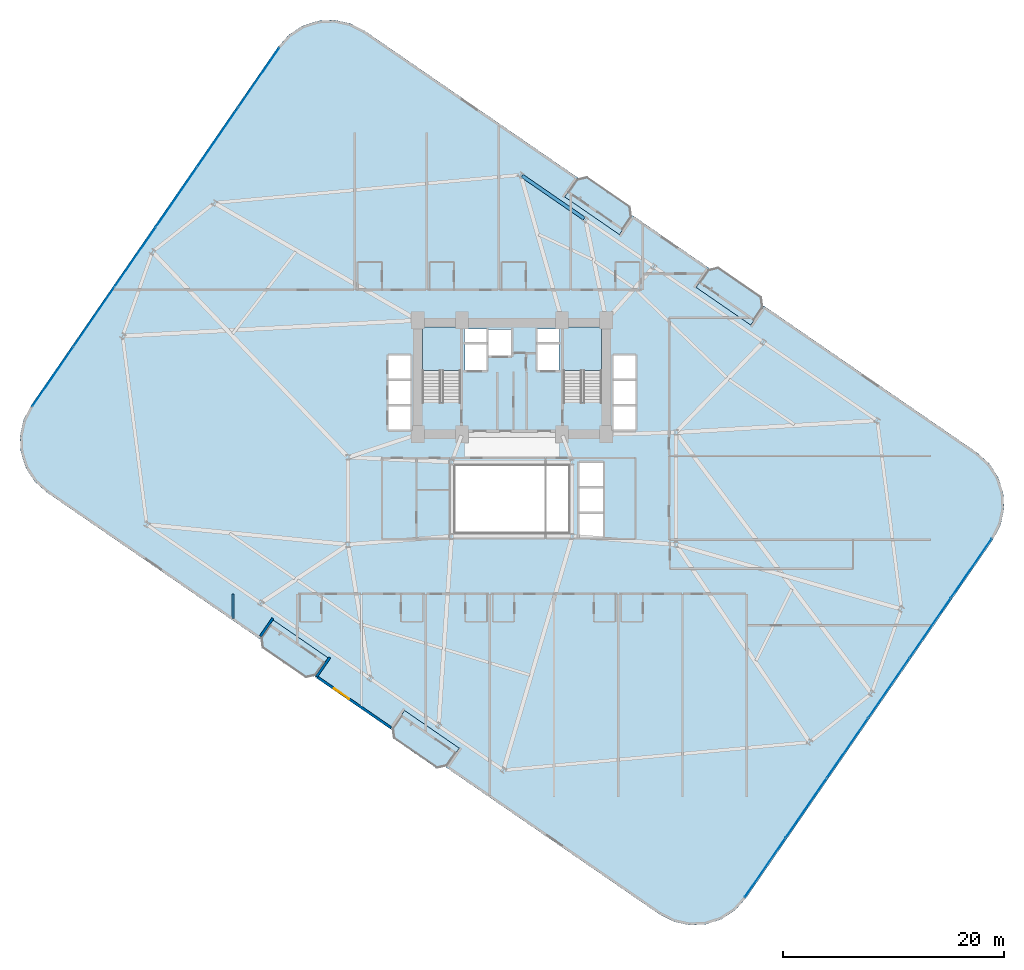
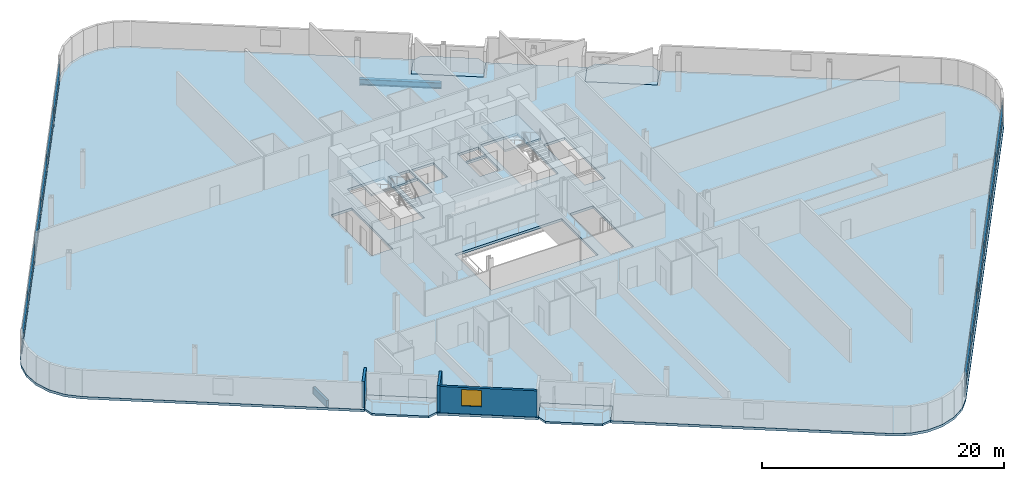
# One storey, part 16 of 24: 24 plates, 7 slabs, 4 walls, 1 beam, 1 window, 1 opening, 4 elements without a shape of their own.
"""IFC4 building model written with IfcOpenShell, lengths in metres."""

from ifc_helpers import new_model, si_unit, direction, frame, frame_2d, origin, origin_2d, place, context, subcontext, project, spatial, polyline, rectangle, i_section, outline, extrude, source, transform, mapped, material, layer, layer_set, material_profile, profile_set, type_object, element, fill, aggregate, save


model = new_model("IFC4")

# Units and contexts
model_context = context("Model", 3, precision=1e-05, world=origin(), true_north=direction((0.0, 1.0)))
body_context = subcontext(model_context, "Body", "Model", "MODEL_VIEW")
ifc_project = project(units=[si_unit("LENGTHUNIT", "METRE"), si_unit("AREAUNIT", "SQUARE_METRE"), si_unit("VOLUMEUNIT", "CUBIC_METRE"), si_unit("PLANEANGLEUNIT", "RADIAN"), si_unit("MASSUNIT", "GRAM", prefix="KILO")], contexts=[model_context])

# Site, building, storey
site_placement = place(None, origin())
site = spatial("IfcSite", under=ifc_project, at=site_placement, CompositionType="ELEMENT")
building_placement = place(site_placement, origin())
building = spatial("IfcBuilding", under=site, at=building_placement, Name="Varnelok Gate Tower", CompositionType="ELEMENT")
storey_placement = place(building_placement, frame((0.0, 0.0, 67.699951171875)))
storey = spatial("IfcBuildingStorey", under=building, at=storey_placement, Name="L16", CompositionType="ELEMENT", Elevation=67.699951171875)

# Beam
ifc_material_1 = material(Name="Structural Steel ASTM A992 Grade 50", Category="steel")
ifc_material_profile = material_profile(ifc_material_1, i_section(OverallWidth=0.323974609375, OverallDepth=0.611083984375, WebThickness=0.0126953125, FlangeThickness=0.01904296875, FilletRadius=0.01806640625, at=origin_2d()), Name="W24X104")
ifc_profile_set = profile_set([ifc_material_profile], Name="Structural Steel ASTM A992 Grade 50")
beam_type = type_object("IfcBeamType", Name="BM-SPN-W24X104", PredefinedType="SPANDREL", material=ifc_profile_set)
beam_placement = place(storey_placement, frame((45.708984375, 48.235107421875, -0.555419921875), z_axis=(-0.823553445566, 0.567238681947, 0.0), x_axis=(-0.567238681947, -0.823553445566, 0.0)))
element("IfcBeam", 1, at=beam_placement, inside=storey, type_object=beam_type, Name="L16 Perimeter Spandrel Beam 12", PredefinedType="SPANDREL", context=body_context, shape_type="SweptSolid", body=[
    extrude(i_section(OverallWidth=0.323974609375, OverallDepth=0.611083984375, WebThickness=0.0126953125, FlangeThickness=0.01904296875, FilletRadius=0.01806640625, at=origin_2d()), origin(), (0.0, 0.0, 1.0), 6.7998046875),
])

# Slabs
ifc_material_2 = material(Name="Concrete C45/55", Category="concrete")
ifc_layer_1 = layer(ifc_material_2, 0.199951171875)
ifc_layer_set_1 = layer_set([ifc_layer_1], Name="Concrete C45/55")
slab_type_1 = type_object("IfcSlabType", Name="SLB-BALC-200", PredefinedType="FLOOR", material=ifc_layer_set_1)
slab_1_placement = place(storey_placement, frame((0.0, 0.0, -0.199951171875)))
element("IfcSlab", 2, at=slab_1_placement, inside=storey, type_object=slab_type_1, Name="L16 South Hollow Balcony 1", PredefinedType="FLOOR", context=body_context, shape_type="SweptSolid", body=[
    extrude(outline(polyline([(16.5048828125, 10.3330078125), (16.67138671875, 9.42919921875), (20.5419921875, 6.762939453125), (21.446044921875, 6.929443359375), (22.58056640625, 8.57666015625), (17.639404296875, 11.980224609375), (16.5048828125, 10.3330078125)])), origin(), (0.0, 0.0, 1.0), 0.199951171875),
])
slab_2_placement = place(storey_placement, frame((0.0, 0.0, -0.199951171875)))
element("IfcSlab", 3, at=slab_2_placement, inside=storey, type_object=slab_type_1, Name="L16 South Hollow Balcony 2", PredefinedType="FLOOR", context=body_context, shape_type="SweptSolid", body=[
    extrude(outline(polyline([(28.36376953125, 2.164306640625), (28.5302734375, 1.260498046875), (32.40087890625, -1.40576171875), (33.304931640625, -1.2392578125), (34.439453125, 0.407958984375), (29.498291015625, 3.8115234375), (28.36376953125, 2.164306640625)])), origin(), (0.0, 0.0, 1.0), 0.199951171875),
])
slab_3_placement = place(storey_placement, frame((0.0, 0.0, -0.199951171875)))
element("IfcSlab", 4, at=slab_3_placement, inside=storey, type_object=slab_type_1, Name="L16 North Hollow Balcony 1", PredefinedType="FLOOR", context=body_context, shape_type="SweptSolid", body=[
    extrude(outline(polyline([(43.960693359375, 50.192138671875), (48.90185546875, 46.78857421875), (50.036376953125, 48.435546875), (49.869873046875, 49.339599609375), (45.999267578125, 52.005615234375), (45.09521484375, 51.839111328125), (43.960693359375, 50.192138671875)])), origin(), (0.0, 0.0, 1.0), 0.199951171875),
])
slab_4_placement = place(storey_placement, frame((0.0, 0.0, -0.199951171875)))
element("IfcSlab", 5, at=slab_4_placement, inside=storey, type_object=slab_type_1, Name="L16 North Hollow Balcony 2", PredefinedType="FLOOR", context=body_context, shape_type="SweptSolid", body=[
    extrude(outline(polyline([(55.819580078125, 42.0234375), (60.7607421875, 38.619873046875), (61.895263671875, 40.266845703125), (61.728515625, 41.1708984375), (57.85791015625, 43.837158203125), (56.9541015625, 43.67041015625), (55.819580078125, 42.0234375)])), origin(), (0.0, 0.0, 1.0), 0.199951171875),
])

# Stair, slab
ifc_material_3 = material(Name="Concrete C50/60", Category="concrete")
stair_type = type_object("IfcStairType", Name="STR-CORE-1650", PredefinedType="HALF_TURN_STAIR", material=ifc_material_3)
stair_1_placement = place(storey_placement, origin())
stair_1 = element("IfcStair", 6, at=stair_1_placement, inside=storey, type_object=stair_type, Name="L16 Exit Stair ST-1", PredefinedType="HALF_TURN_STAIR")
ifc_layer_2 = layer(ifc_material_2, 0.199951171875)
ifc_layer_set_2 = layer_set([ifc_layer_2], Name="Concrete C45/55")
slab_type_2 = type_object("IfcSlabType", Name="SLB-LAND-200", PredefinedType="LANDING", material=ifc_layer_set_2)
slab_5_placement = place(storey_placement, frame((0.0, 0.0, 1.650146484375)))
slab_5 = element("IfcSlab", 7, at=slab_5_placement, type_object=slab_type_2, Name="ST-1 landing 1", PredefinedType="LANDING", context=body_context, shape_type="SweptSolid", body=[
    extrude(outline(polyline([(34.550048828125, 34.5), (34.550048828125, 38.449951171875), (31.10009765625, 38.449951171875), (31.10009765625, 34.5), (34.550048828125, 34.5)])), origin(), (0.0, 0.0, 1.0), 0.199951171875),
])
aggregate(stair_1, [slab_5])

stair_2_placement = place(storey_placement, origin())
stair_2 = element("IfcStair", 8, at=stair_2_placement, inside=storey, type_object=stair_type, Name="L16 Exit Stair ST-2", PredefinedType="HALF_TURN_STAIR")
slab_6_placement = place(storey_placement, frame((0.0, 0.0, 1.650146484375)))
slab_6 = element("IfcSlab", 9, at=slab_6_placement, type_object=slab_type_2, Name="ST-2 landing 1", PredefinedType="LANDING", context=body_context, shape_type="SweptSolid", body=[
    extrude(outline(polyline([(47.300048828125, 34.5), (47.300048828125, 38.449951171875), (43.85009765625, 38.449951171875), (43.85009765625, 34.5), (47.300048828125, 34.5)])), origin(), (0.0, 0.0, 1.0), 0.199951171875),
])
aggregate(stair_2, [slab_6])

# Slab
ifc_layer_3 = layer(ifc_material_3, 0.25)
ifc_layer_set_3 = layer_set([ifc_layer_3], Name="Concrete C50/60")
slab_type_3 = type_object("IfcSlabType", Name="SLB-TYP-250", PredefinedType="FLOOR", material=ifc_layer_set_3)
slab_7_placement = place(storey_placement, frame((0.0, 0.0, -0.25)))
element("IfcSlab", 10, at=slab_7_placement, inside=storey, type_object=slab_type_3, Name="L16 Structural Floor Slab", PredefinedType="FLOOR", context=body_context, shape_type="SweptSolid", body=[
    extrude(outline(polyline([(-4.2578125, 31.3134765625), (-4.922607421875, 30.011474609375), (-5.22802734375, 28.581787109375), (-5.1533203125, 27.121826171875), (-4.702880859375, 25.731201171875), (-3.907958984375, 24.504150390625), (-2.822509765625, 23.52490234375), (7.7734375, 16.22607421875), (16.447998046875, 10.250732421875), (17.639404296875, 11.980224609375), (22.58056640625, 8.57666015625), (21.389404296875, 6.84716796875), (28.306884765625, 2.08203125), (29.498291015625, 3.8115234375), (34.439453125, 0.407958984375), (33.248046875, -1.321533203125), (41.922607421875, -7.296875), (52.518798828125, -14.595703125), (53.82080078125, -15.2607421875), (55.250244140625, -15.566162109375), (56.710205078125, -15.4912109375), (58.10107421875, -15.040771484375), (59.327880859375, -14.245849609375), (60.307373046875, -13.160400390625), (82.65771484375, 19.28662109375), (83.32275390625, 20.58837890625), (83.628173828125, 22.018310546875), (83.55322265625, 23.47802734375), (83.102783203125, 24.868896484375), (82.30810546875, 26.095703125), (81.22265625, 27.0751953125), (70.62646484375, 34.3740234375), (61.951904296875, 40.34912109375), (60.7607421875, 38.619873046875), (55.819580078125, 42.0234375), (57.0107421875, 43.752685546875), (50.093017578125, 48.517822265625), (48.90185546875, 46.78857421875), (43.960693359375, 50.192138671875), (45.15185546875, 51.92138671875), (36.477294921875, 57.896728515625), (25.881103515625, 65.195556640625), (24.579345703125, 65.860595703125), (23.149658203125, 66.166015625), (21.689697265625, 66.091064453125), (20.299072265625, 65.640869140625), (19.072021484375, 64.845947265625), (18.0927734375, 63.760498046875), (-4.2578125, 31.3134765625)]), holes=[polyline([(34.550048828125, 31.679931640625), (34.550048828125, 38.449951171875), (31.10009765625, 38.449951171875), (31.10009765625, 31.679931640625), (34.550048828125, 31.679931640625)]), polyline([(47.300048828125, 31.679931640625), (47.300048828125, 38.449951171875), (43.85009765625, 38.449951171875), (43.85009765625, 31.679931640625), (47.300048828125, 31.679931640625)]), polyline([(34.949951171875, 34.550048828125), (36.89990234375, 34.550048828125), (36.89990234375, 36.89990234375), (34.949951171875, 36.89990234375), (34.949951171875, 34.550048828125)]), polyline([(41.5, 34.550048828125), (43.449951171875, 34.550048828125), (43.449951171875, 36.89990234375), (41.5, 36.89990234375), (41.5, 34.550048828125)]), polyline([(37.050048828125, 35.85009765625), (39.14990234375, 35.85009765625), (39.14990234375, 38.199951171875), (37.050048828125, 38.199951171875), (37.050048828125, 35.85009765625)]), polyline([(28.050048828125, 29.14990234375), (30.050048828125, 29.14990234375), (30.050048828125, 35.89990234375), (28.050048828125, 35.89990234375), (28.050048828125, 29.14990234375)]), polyline([(48.35009765625, 29.14990234375), (50.35009765625, 29.14990234375), (50.35009765625, 35.89990234375), (48.35009765625, 35.89990234375), (48.35009765625, 29.14990234375)]), polyline([(45.25, 19.449951171875), (47.449951171875, 19.449951171875), (47.449951171875, 26.199951171875), (45.25, 26.199951171875), (45.25, 19.449951171875)]), polyline([(34.919921875, 37.080078125), (36.89990234375, 37.080078125), (36.89990234375, 38.280029296875), (34.919921875, 38.280029296875), (34.919921875, 37.080078125)]), polyline([(41.5, 37.080078125), (43.47998046875, 37.080078125), (43.47998046875, 38.280029296875), (41.5, 38.280029296875), (41.5, 37.080078125)]), polyline([(34.10009765625, 19.89990234375), (44.300048828125, 19.89990234375), (44.300048828125, 25.89990234375), (34.10009765625, 25.89990234375), (34.10009765625, 19.89990234375)])]), origin(), (0.0, 0.0, 1.0), 0.25),
])

# Curtain wall, plates
ifc_material_4 = material(Name="Anodized Aluminum Alloy 6063-T6", Category="aluminium")
ifc_layer_4 = layer(ifc_material_4, 0.179931640625)
ifc_layer_set_4 = layer_set([ifc_layer_4], Name="Anodized Aluminum Alloy 6063-T6")
curtain_wall_type = type_object("IfcCurtainWallType", Name="CW3-HOTEL-VISION", PredefinedType="USERDEFINED", material=ifc_layer_set_4)
curtain_wall_1_placement = place(storey_placement, origin())
curtain_wall_1 = element("IfcCurtainWall", 11, at=curtain_wall_1_placement, inside=storey, type_object=curtain_wall_type, Name="L16 West End Vision Curtain Wall", ObjectType="UNITISED CURTAIN WALL", PredefinedType="USERDEFINED")
ifc_material_5 = material(Name="Low-E Laminated Double Glazing IGU", Category="glass")
ifc_layer_5 = layer(ifc_material_5, 0.031982421875)
ifc_layer_set_5 = layer_set([ifc_layer_5], Name="Low-E Laminated Double Glazing IGU")
plate_type = type_object("IfcPlateType", Name="CW-PNL-IGU32", PredefinedType="CURTAIN_PANEL", material=ifc_layer_set_5)
shared_shape_1 = source(origin(), body_context, "Body", "SweptSolid", [
    extrude(rectangle(XDim=6.46923828125, YDim=0.031982421875, at=origin_2d()), origin(), (0.0, 0.0, 1.0), 0.802490234375),
])
plate_1_placement = place(storey_placement, frame((-2.270751953125, 33.951171875, 0.06494140625), z_axis=(0.0, 0.0, 1.0), x_axis=(0.567268822124, 0.823532685111, 0.0)))
plate_1 = element("IfcPlate", 12, at=plate_1_placement, type_object=plate_type, Name="CW3 panel 1.1", PredefinedType="CURTAIN_PANEL", context=body_context, shape_type="MappedRepresentation", body=[
    mapped(shared_shape_1, transform((0.0, 0.0, 0.0), scale=1.0)),
])
plate_2_placement = place(storey_placement, frame((16.336181640625, 60.9638671875, 0.06494140625), z_axis=(0.0, 0.0, 1.0), x_axis=(0.567268822124, 0.823532685111, 0.0)))
plate_2 = element("IfcPlate", 13, at=plate_2_placement, type_object=plate_type, Name="CW3 panel 6.1", PredefinedType="CURTAIN_PANEL", context=body_context, shape_type="MappedRepresentation", body=[
    mapped(shared_shape_1, transform((0.0, 0.0, 0.0), scale=1.0)),
])

curtain_wall_2_placement = place(storey_placement, origin())
curtain_wall_2 = element("IfcCurtainWall", 14, at=curtain_wall_2_placement, inside=storey, type_object=curtain_wall_type, Name="L16 East End Vision Curtain Wall", ObjectType="UNITISED CURTAIN WALL", PredefinedType="USERDEFINED")
plate_3_placement = place(storey_placement, frame((80.670654296875, 16.648681640625, 0.06494140625), z_axis=(0.0, 0.0, 1.0), x_axis=(-0.567268822124, -0.823532685111, 0.0)))
plate_3 = element("IfcPlate", 15, at=plate_3_placement, type_object=plate_type, Name="CW3 panel 1.1", PredefinedType="CURTAIN_PANEL", context=body_context, shape_type="MappedRepresentation", body=[
    mapped(shared_shape_1, transform((0.0, 0.0, 0.0), scale=1.0)),
])
plate_4_placement = place(storey_placement, frame((62.063720703125, -10.36376953125, 0.06494140625), z_axis=(0.0, 0.0, 1.0), x_axis=(-0.567268822124, -0.823532685111, 0.0)))
plate_4 = element("IfcPlate", 16, at=plate_4_placement, type_object=plate_type, Name="CW3 panel 6.1", PredefinedType="CURTAIN_PANEL", context=body_context, shape_type="MappedRepresentation", body=[
    mapped(shared_shape_1, transform((0.0, 0.0, 0.0), scale=1.0)),
])

# Plate
shared_shape_2 = source(origin(), body_context, "Body", "SweptSolid", [
    extrude(rectangle(XDim=6.501708984375, YDim=0.031982421875, at=origin_2d()), origin(), (0.0, 0.0, 1.0), 0.802490234375),
])
plate_5_placement = place(storey_placement, frame((1.4453125, 39.345703125, 0.06494140625), z_axis=(0.0, 0.0, 1.0), x_axis=(0.567268822124, 0.823532685111, 0.0)))
plate_5 = element("IfcPlate", 17, at=plate_5_placement, type_object=plate_type, Name="CW3 panel 2.1", PredefinedType="CURTAIN_PANEL", context=body_context, shape_type="MappedRepresentation", body=[
    mapped(shared_shape_2, transform((0.0, 0.0, 0.0), scale=1.0)),
])

plate_6_placement = place(storey_placement, frame((5.170166015625, 44.753662109375, 0.06494140625), z_axis=(0.0, 0.0, 1.0), x_axis=(0.567268822124, 0.823532685111, 0.0)))
plate_6 = element("IfcPlate", 18, at=plate_6_placement, type_object=plate_type, Name="CW3 panel 3.1", PredefinedType="CURTAIN_PANEL", context=body_context, shape_type="MappedRepresentation", body=[
    mapped(shared_shape_2, transform((0.0, 0.0, 0.0), scale=1.0)),
])

plate_7_placement = place(storey_placement, frame((8.895263671875, 50.161376953125, 0.06494140625), z_axis=(0.0, 0.0, 1.0), x_axis=(0.567268822124, 0.823532685111, 0.0)))
plate_7 = element("IfcPlate", 19, at=plate_7_placement, type_object=plate_type, Name="CW3 panel 4.1", PredefinedType="CURTAIN_PANEL", context=body_context, shape_type="MappedRepresentation", body=[
    mapped(shared_shape_2, transform((0.0, 0.0, 0.0), scale=1.0)),
])

plate_8_placement = place(storey_placement, frame((12.620361328125, 55.5693359375, 0.06494140625), z_axis=(0.0, 0.0, 1.0), x_axis=(0.567268822124, 0.823532685111, 0.0)))
plate_8 = element("IfcPlate", 20, at=plate_8_placement, type_object=plate_type, Name="CW3 panel 5.1", PredefinedType="CURTAIN_PANEL", context=body_context, shape_type="MappedRepresentation", body=[
    mapped(shared_shape_2, transform((0.0, 0.0, 0.0), scale=1.0)),
])

plate_9_placement = place(storey_placement, frame((76.954833984375, 11.25439453125, 0.06494140625), z_axis=(0.0, 0.0, 1.0), x_axis=(-0.567268822124, -0.823532685111, 0.0)))
plate_9 = element("IfcPlate", 21, at=plate_9_placement, type_object=plate_type, Name="CW3 panel 2.1", PredefinedType="CURTAIN_PANEL", context=body_context, shape_type="MappedRepresentation", body=[
    mapped(shared_shape_2, transform((0.0, 0.0, 0.0), scale=1.0)),
])

plate_10_placement = place(storey_placement, frame((73.229736328125, 5.846435546875, 0.06494140625), z_axis=(0.0, 0.0, 1.0), x_axis=(-0.567268822124, -0.823532685111, 0.0)))
plate_10 = element("IfcPlate", 22, at=plate_10_placement, type_object=plate_type, Name="CW3 panel 3.1", PredefinedType="CURTAIN_PANEL", context=body_context, shape_type="MappedRepresentation", body=[
    mapped(shared_shape_2, transform((0.0, 0.0, 0.0), scale=1.0)),
])

plate_11_placement = place(storey_placement, frame((69.504638671875, 0.4384765625, 0.06494140625), z_axis=(0.0, 0.0, 1.0), x_axis=(-0.567268822124, -0.823532685111, 0.0)))
plate_11 = element("IfcPlate", 23, at=plate_11_placement, type_object=plate_type, Name="CW3 panel 4.1", PredefinedType="CURTAIN_PANEL", context=body_context, shape_type="MappedRepresentation", body=[
    mapped(shared_shape_2, transform((0.0, 0.0, 0.0), scale=1.0)),
])

plate_12_placement = place(storey_placement, frame((65.779541015625, -4.96923828125, 0.06494140625), z_axis=(0.0, 0.0, 1.0), x_axis=(-0.567268822124, -0.823532685111, 0.0)))
plate_12 = element("IfcPlate", 24, at=plate_12_placement, type_object=plate_type, Name="CW3 panel 5.1", PredefinedType="CURTAIN_PANEL", context=body_context, shape_type="MappedRepresentation", body=[
    mapped(shared_shape_2, transform((0.0, 0.0, 0.0), scale=1.0)),
])

shared_shape_3 = source(origin(), body_context, "Body", "SweptSolid", [
    extrude(rectangle(XDim=6.46923828125, YDim=0.031982421875, at=origin_2d()), origin(), (0.0, 0.0, 1.0), 1.66259765625),
])
plate_13_placement = place(storey_placement, frame((-2.270751953125, 33.951171875, 0.9326171875), z_axis=(0.0, 0.0, 1.0), x_axis=(0.567268822124, 0.823532685111, 0.0)))
plate_13 = element("IfcPlate", 25, at=plate_13_placement, type_object=plate_type, Name="CW3 panel 1.2", PredefinedType="CURTAIN_PANEL", context=body_context, shape_type="MappedRepresentation", body=[
    mapped(shared_shape_3, transform((0.0, 0.0, 0.0), scale=1.0)),
])

plate_14_placement = place(storey_placement, frame((16.336181640625, 60.9638671875, 0.9326171875), z_axis=(0.0, 0.0, 1.0), x_axis=(0.567268822124, 0.823532685111, 0.0)))
plate_14 = element("IfcPlate", 26, at=plate_14_placement, type_object=plate_type, Name="CW3 panel 6.2", PredefinedType="CURTAIN_PANEL", context=body_context, shape_type="MappedRepresentation", body=[
    mapped(shared_shape_3, transform((0.0, 0.0, 0.0), scale=1.0)),
])

plate_15_placement = place(storey_placement, frame((80.670654296875, 16.648681640625, 0.9326171875), z_axis=(0.0, 0.0, 1.0), x_axis=(-0.567268822124, -0.823532685111, 0.0)))
plate_15 = element("IfcPlate", 27, at=plate_15_placement, type_object=plate_type, Name="CW3 panel 1.2", PredefinedType="CURTAIN_PANEL", context=body_context, shape_type="MappedRepresentation", body=[
    mapped(shared_shape_3, transform((0.0, 0.0, 0.0), scale=1.0)),
])

plate_16_placement = place(storey_placement, frame((62.063720703125, -10.36376953125, 0.9326171875), z_axis=(0.0, 0.0, 1.0), x_axis=(-0.567268822124, -0.823532685111, 0.0)))
plate_16 = element("IfcPlate", 28, at=plate_16_placement, type_object=plate_type, Name="CW3 panel 6.2", PredefinedType="CURTAIN_PANEL", context=body_context, shape_type="MappedRepresentation", body=[
    mapped(shared_shape_3, transform((0.0, 0.0, 0.0), scale=1.0)),
])

shared_shape_4 = source(origin(), body_context, "Body", "SweptSolid", [
    extrude(rectangle(XDim=6.501708984375, YDim=0.031982421875, at=origin_2d()), origin(), (0.0, 0.0, 1.0), 1.66259765625),
])
plate_17_placement = place(storey_placement, frame((1.4453125, 39.345703125, 0.9326171875), z_axis=(0.0, 0.0, 1.0), x_axis=(0.567268822124, 0.823532685111, 0.0)))
plate_17 = element("IfcPlate", 29, at=plate_17_placement, type_object=plate_type, Name="CW3 panel 2.2", PredefinedType="CURTAIN_PANEL", context=body_context, shape_type="MappedRepresentation", body=[
    mapped(shared_shape_4, transform((0.0, 0.0, 0.0), scale=1.0)),
])

plate_18_placement = place(storey_placement, frame((5.170166015625, 44.753662109375, 0.9326171875), z_axis=(0.0, 0.0, 1.0), x_axis=(0.567268822124, 0.823532685111, 0.0)))
plate_18 = element("IfcPlate", 30, at=plate_18_placement, type_object=plate_type, Name="CW3 panel 3.2", PredefinedType="CURTAIN_PANEL", context=body_context, shape_type="MappedRepresentation", body=[
    mapped(shared_shape_4, transform((0.0, 0.0, 0.0), scale=1.0)),
])

plate_19_placement = place(storey_placement, frame((8.895263671875, 50.161376953125, 0.9326171875), z_axis=(0.0, 0.0, 1.0), x_axis=(0.567268822124, 0.823532685111, 0.0)))
plate_19 = element("IfcPlate", 31, at=plate_19_placement, type_object=plate_type, Name="CW3 panel 4.2", PredefinedType="CURTAIN_PANEL", context=body_context, shape_type="MappedRepresentation", body=[
    mapped(shared_shape_4, transform((0.0, 0.0, 0.0), scale=1.0)),
])

plate_20_placement = place(storey_placement, frame((12.620361328125, 55.5693359375, 0.9326171875), z_axis=(0.0, 0.0, 1.0), x_axis=(0.567268822124, 0.823532685111, 0.0)))
plate_20 = element("IfcPlate", 32, at=plate_20_placement, type_object=plate_type, Name="CW3 panel 5.2", PredefinedType="CURTAIN_PANEL", context=body_context, shape_type="MappedRepresentation", body=[
    mapped(shared_shape_4, transform((0.0, 0.0, 0.0), scale=1.0)),
])

aggregate(curtain_wall_1, [plate_1, plate_13, plate_5, plate_17, plate_6, plate_18, plate_7, plate_19, plate_8, plate_20, plate_2, plate_14])

plate_21_placement = place(storey_placement, frame((76.954833984375, 11.25439453125, 0.9326171875), z_axis=(0.0, 0.0, 1.0), x_axis=(-0.567268822124, -0.823532685111, 0.0)))
plate_21 = element("IfcPlate", 33, at=plate_21_placement, type_object=plate_type, Name="CW3 panel 2.2", PredefinedType="CURTAIN_PANEL", context=body_context, shape_type="MappedRepresentation", body=[
    mapped(shared_shape_4, transform((0.0, 0.0, 0.0), scale=1.0)),
])

plate_22_placement = place(storey_placement, frame((73.229736328125, 5.846435546875, 0.9326171875), z_axis=(0.0, 0.0, 1.0), x_axis=(-0.567268822124, -0.823532685111, 0.0)))
plate_22 = element("IfcPlate", 34, at=plate_22_placement, type_object=plate_type, Name="CW3 panel 3.2", PredefinedType="CURTAIN_PANEL", context=body_context, shape_type="MappedRepresentation", body=[
    mapped(shared_shape_4, transform((0.0, 0.0, 0.0), scale=1.0)),
])

plate_23_placement = place(storey_placement, frame((69.504638671875, 0.4384765625, 0.9326171875), z_axis=(0.0, 0.0, 1.0), x_axis=(-0.567268822124, -0.823532685111, 0.0)))
plate_23 = element("IfcPlate", 35, at=plate_23_placement, type_object=plate_type, Name="CW3 panel 4.2", PredefinedType="CURTAIN_PANEL", context=body_context, shape_type="MappedRepresentation", body=[
    mapped(shared_shape_4, transform((0.0, 0.0, 0.0), scale=1.0)),
])

plate_24_placement = place(storey_placement, frame((65.779541015625, -4.96923828125, 0.9326171875), z_axis=(0.0, 0.0, 1.0), x_axis=(-0.567268822124, -0.823532685111, 0.0)))
plate_24 = element("IfcPlate", 36, at=plate_24_placement, type_object=plate_type, Name="CW3 panel 5.2", PredefinedType="CURTAIN_PANEL", context=body_context, shape_type="MappedRepresentation", body=[
    mapped(shared_shape_4, transform((0.0, 0.0, 0.0), scale=1.0)),
])

aggregate(curtain_wall_2, [plate_3, plate_15, plate_9, plate_21, plate_10, plate_22, plate_11, plate_23, plate_12, plate_24, plate_4, plate_16])

# Walls
ifc_layer_6 = layer(ifc_material_2, 0.219970703125)
ifc_layer_set_6 = layer_set([ifc_layer_6], Name="Concrete C45/55")
wall_type_1 = type_object("IfcWallType", Name="EW-BALC-220", PredefinedType="SOLIDWALL", material=ifc_layer_set_6)
wall_1_placement = place(storey_placement, frame((16.48828125, 10.5205078125, 0.0), z_axis=(0.0, 0.0, 1.0), x_axis=(0.567131976434, 0.823626930902, 0.0)))
element("IfcWall", 37, at=wall_1_placement, inside=storey, type_object=wall_type_1, Name="L16 Perimeter Facade Closure Wall 8", PredefinedType="SOLIDWALL", context=body_context, shape_type="SweptSolid", body=[
    extrude(rectangle(XDim=1.97509765625, YDim=0.219970703125, at=frame_2d((0.987548828125, 0.0))), origin(), (0.0, 0.0, 1.0), 2.66015625),
])
wall_2_placement = place(storey_placement, frame((22.747314453125, 8.607421875, 0.0), z_axis=(0.0, 0.0, 1.0), x_axis=(-0.567219383419, -0.823566737474, 0.0)))
element("IfcWall", 38, at=wall_2_placement, inside=storey, type_object=wall_type_1, Name="L16 Perimeter Facade Closure Wall 9", PredefinedType="SOLIDWALL", context=body_context, shape_type="SweptSolid", body=[
    extrude(rectangle(XDim=2.10009765625, YDim=0.219970703125, at=frame_2d((1.050048828125, 0.0))), origin(), (0.0, 0.0, 1.0), 2.66015625),
])

# Wall, opening, window
wall_3_placement = place(storey_placement, frame((21.6591796875, 6.806884765625, 0.0), z_axis=(0.0, 0.0, 1.0), x_axis=(0.823535360023, -0.567264938799, 0.0)))
wall_3 = element("IfcWall", 39, at=wall_3_placement, inside=storey, type_object=wall_type_1, Name="L16 Perimeter Facade Closure Wall 10", PredefinedType="SOLIDWALL", context=body_context, shape_type="SweptSolid", body=[
    extrude(rectangle(XDim=8.034912109375, YDim=0.219970703125, at=frame_2d((4.017578125, 0.0))), origin(), (0.0, 0.0, 1.0), 2.66015625),
])
opening_placement = place(wall_3_placement, frame((1.787841796875, 0.0, 0.800048828125)))
opening = element("IfcOpeningElement", 40, at=opening_placement, cuts=wall_3, Name="Opening WN3", PredefinedType="OPENING", context=body_context, shape_type="SweptSolid", body=[
    extrude(rectangle(XDim=1.64990234375, YDim=1.64990234375, at=frame_2d((0.824951171875, 0.824951171875))), frame((0.0, 0.119873046875, 0.0), z_axis=(0.0, -1.0, 0.0), x_axis=(1.0, 0.0, 0.0)), (0.0, 0.0, 1.0), 0.239990234375),
])
window_type = type_object("IfcWindowType", Name="WN-HTL-1650", PartitioningType="SINGLE_PANEL", PredefinedType="WINDOW", material=ifc_material_5)
window_placement = place(opening_placement, origin())
window = element("IfcWindow", 41, at=window_placement, inside=storey, type_object=window_type, Name="L16 Perimeter Vision Window 10", OverallHeight=1.64990234375, OverallWidth=1.64990234375, PartitioningType="SINGLE_PANEL", PredefinedType="WINDOW", context=body_context, shape_type="SweptSolid", body=[
    extrude(rectangle(XDim=1.64990234375, YDim=1.64990234375, at=frame_2d((0.824951171875, 0.824951171875))), frame((0.0, 0.030029296875, 0.0), z_axis=(0.0, -1.0, 0.0), x_axis=(1.0, 0.0, 0.0)), (0.0, 0.0, 1.0), 0.06005859375),
])
fill(opening, window)

# Wall
ifc_material_6 = material(Name="Gypsum Plasterboard Acoustic Partition", Category="gypsum")
ifc_layer_7 = layer(ifc_material_6, 0.205078125)
ifc_layer_set_7 = layer_set([ifc_layer_7], Name="Gypsum Plasterboard Acoustic Partition")
wall_type_2 = type_object("IfcWallType", Name="PW-PARTY-200", PredefinedType="PARTITIONING", material=ifc_layer_set_7)
wall_4_placement = place(storey_placement, frame((14.0, 12.107177734375, 0.0), z_axis=(0.0, 0.0, 1.0), x_axis=(0.0, 1.0, 0.0)))
element("IfcWall", 42, at=wall_4_placement, inside=storey, type_object=wall_type_2, Name="L16 South Party Wall 1", PredefinedType="PARTITIONING", context=body_context, shape_type="SweptSolid", body=[
    extrude(rectangle(XDim=2.242919921875, YDim=0.205078125, at=frame_2d((1.12158203125, 0.0))), origin(), (0.0, 0.0, 1.0), 0.650146484375),
])

save(model, "model.ifc")
